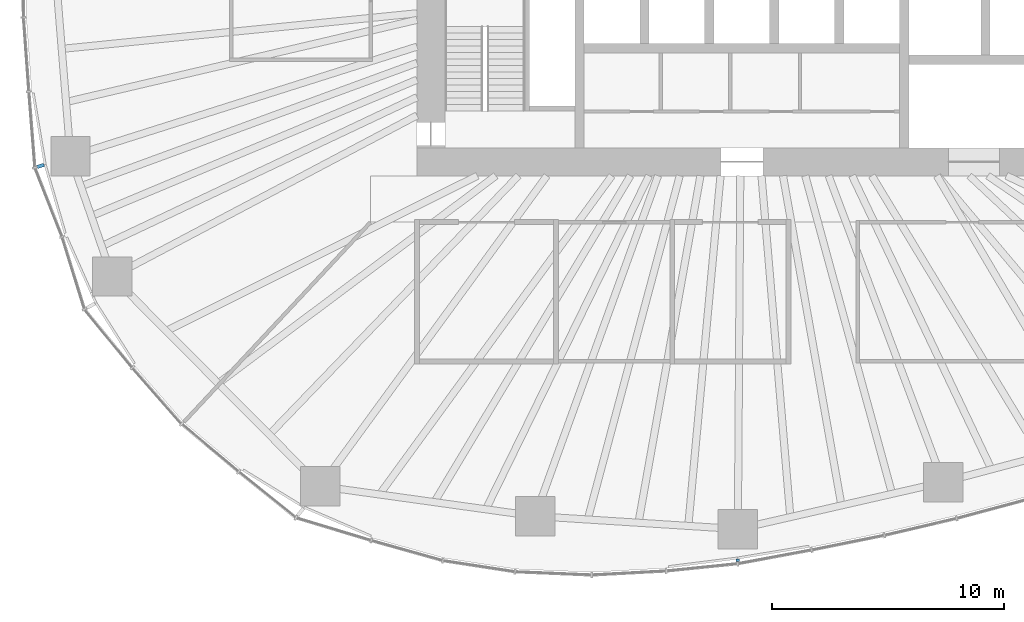
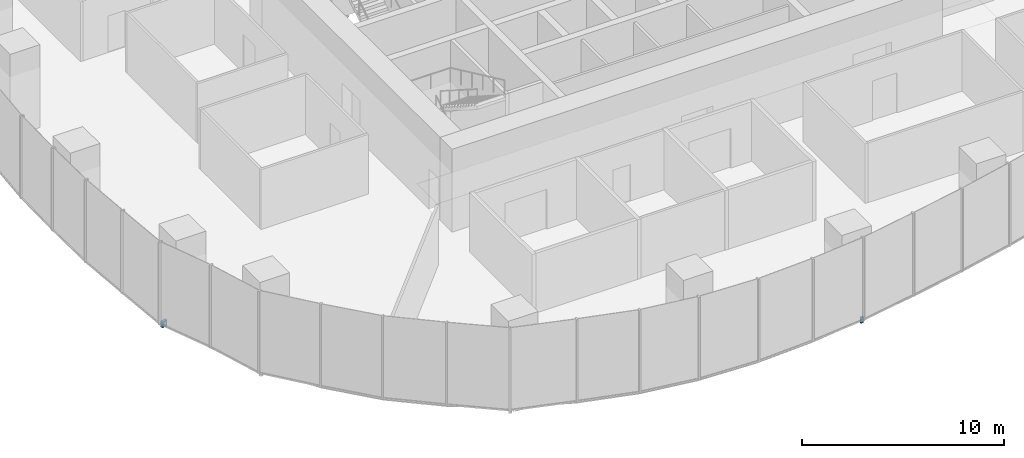
# One storey, part 13 of 19: 2 discrete accessories.
"""IFC4 building model written with IfcOpenShell, lengths in metres."""

from ifc_helpers import new_model, si_unit, direction, frame, origin, origin_2d, place, context, subcontext, project, spatial, rectangle, extrude, material, type_object, element, save


model = new_model("IFC4")

# Units and contexts
model_context = context("Model", 3, precision=1e-05, world=origin(), true_north=direction((0.0, 1.0)))
body_context = subcontext(model_context, "Body", "Model", "MODEL_VIEW")
ifc_project = project(units=[si_unit("LENGTHUNIT", "METRE"), si_unit("AREAUNIT", "SQUARE_METRE"), si_unit("VOLUMEUNIT", "CUBIC_METRE"), si_unit("PLANEANGLEUNIT", "RADIAN"), si_unit("MASSUNIT", "GRAM", prefix="KILO")], contexts=[model_context])

# Site, building, storey
site_placement = place(None, origin())
site = spatial("IfcSite", under=ifc_project, at=site_placement, CompositionType="ELEMENT")
building_placement = place(site_placement, origin())
building = spatial("IfcBuilding", under=site, at=building_placement, Name="Ghaith Harvest Tower", CompositionType="ELEMENT")
storey_placement = place(building_placement, frame((0.0, 0.0, 75.0)))
storey = spatial("IfcBuildingStorey", under=building, at=storey_placement, Name="L15", CompositionType="ELEMENT", Elevation=75.0)

# Discrete accessories
ifc_material_1 = material(Name="Stainless steel grade 1.4401", Category="steel")
discrete_accessory_type_1 = type_object("IfcDiscreteAccessoryType", Name="CURTAIN WALL BRACKET 315", PredefinedType="BRACKET", material=ifc_material_1)
discrete_accessory_1_placement = place(storey_placement, frame((-30.219482421875, -9.5771484375, -0.25), z_axis=(0.0, 0.0, 1.0), x_axis=(-0.953273219416, -0.302109531701, 0.0)))
element("IfcDiscreteAccessory", 1, at=discrete_accessory_1_placement, inside=storey, type_object=discrete_accessory_type_1, Name="CW-F bracket 1 bay 12 L15", PredefinedType="BRACKET", context=body_context, shape_type="SweptSolid", body=[
    extrude(rectangle(XDim=0.31494140625, YDim=0.14990234375, at=origin_2d()), origin(), (0.0, 0.0, 1.0), 0.35009765625),
])
ifc_material_2 = material(Name="Stainless steel grade 1.4401", Category="steel")
discrete_accessory_type_2 = type_object("IfcDiscreteAccessoryType", Name="CURTAIN WALL BRACKET 95", PredefinedType="BRACKET", material=ifc_material_2)
discrete_accessory_2_placement = place(storey_placement, frame((-0.181884765625, -26.569580078125, -0.25), z_axis=(0.0, 0.0, 1.0), x_axis=(-0.006843747957, -0.999976581283, 0.0)))
element("IfcDiscreteAccessory", 2, at=discrete_accessory_2_placement, inside=storey, type_object=discrete_accessory_type_2, Name="CW-F bracket 1 bay 16 L15", PredefinedType="BRACKET", context=body_context, shape_type="SweptSolid", body=[
    extrude(rectangle(XDim=0.094970703125, YDim=0.14990234375, at=origin_2d()), origin(), (0.0, 0.0, 1.0), 0.35009765625),
])

save(model, "model.ifc")
